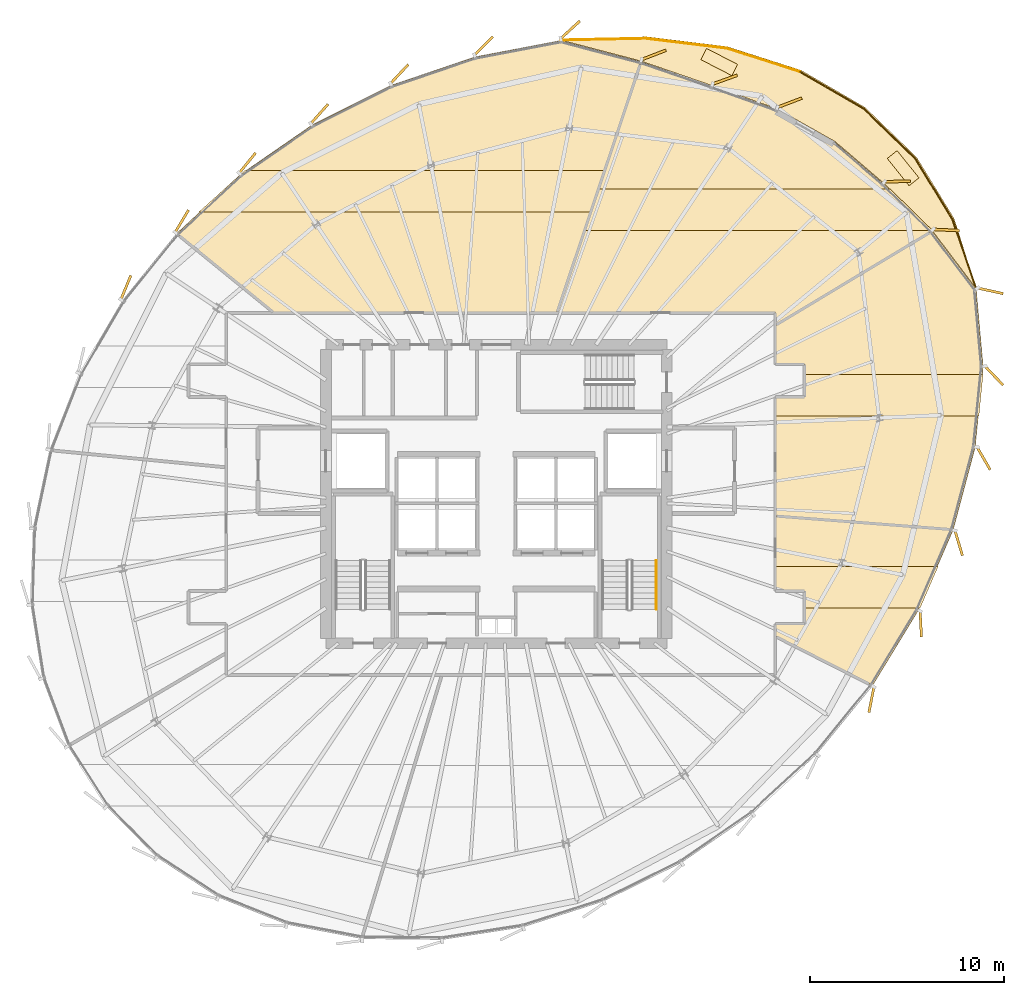
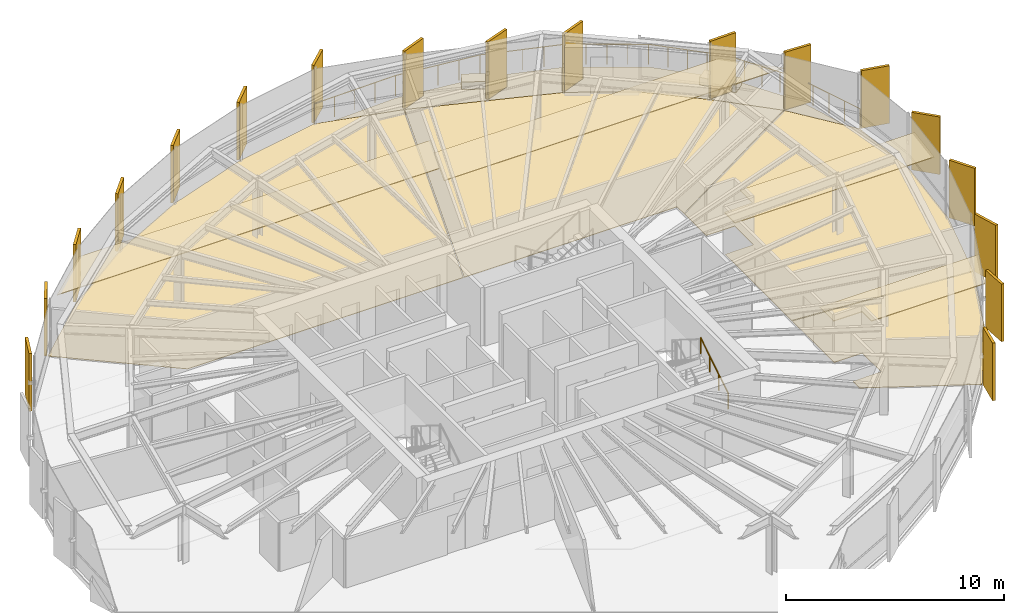
# One storey, part 34 of 34: 29 coverings, 8 railings.
"""IFC4 building model written with IfcOpenShell, lengths in metres."""

from ifc_helpers import new_model, si_unit, direction, frame, origin, origin_2d, place, context, subcontext, project, spatial, polyline, rectangle, circle, outline, extrude, source, transform, mapped, material, layer, layer_set, type_object, element, save


model = new_model("IFC4")

# Units and contexts
model_context = context("Model", 3, precision=1e-05, world=origin(), true_north=direction((0.0, 1.0)))
body_context = subcontext(model_context, "Body", "Model", "MODEL_VIEW")
ifc_project = project(units=[si_unit("LENGTHUNIT", "METRE"), si_unit("AREAUNIT", "SQUARE_METRE"), si_unit("VOLUMEUNIT", "CUBIC_METRE"), si_unit("PLANEANGLEUNIT", "RADIAN"), si_unit("MASSUNIT", "GRAM", prefix="KILO"), si_unit("THERMODYNAMICTEMPERATUREUNIT", "KELVIN")], contexts=[model_context])

# Site, building, storey
site_placement = place(None, origin())
site = spatial("IfcSite", under=ifc_project, at=site_placement, CompositionType="ELEMENT")
building_placement = place(site_placement, origin())
building = spatial("IfcBuilding", under=site, at=building_placement, Name="Kethvar Cultural Tower", CompositionType="ELEMENT")
storey_placement = place(building_placement, frame((0.0, 0.0, 190.39990234375)))
storey = spatial("IfcBuildingStorey", under=building, at=storey_placement, Name="L49", CompositionType="ELEMENT", Elevation=190.39990234375)

# Coverings
ifc_material_1 = material(Name="Acoustic Mineral Fibre Ceiling")
ifc_layer_1 = layer(ifc_material_1, 0.0400390625, Name="Acoustic Mineral Fibre Ceiling")
ifc_layer_set_1 = layer_set([ifc_layer_1], Name="Acoustic Mineral Fibre Ceiling (40 mm)")
covering_type_1 = type_object("IfcCoveringType", Name="CV-ACOUSTIC-CEIL", PredefinedType="CEILING", material=ifc_layer_set_1)
covering_1_placement = place(storey_placement, frame((0.0, 0.0, 2.340087890625)))
element("IfcCovering", 1, at=covering_1_placement, inside=storey, type_object=covering_type_1, Name="L49 Room 03 Acoustic Ceiling Panel", PredefinedType="CEILING", context=body_context, shape_type="SweptSolid", body=[
    extrude(outline(polyline([(62.679931640625, 22.780029296875), (61.187255859375, 22.784423828125), (61.179931640625, 24.063720703125), (69.60888671875, 24.063720703125), (68.6787109375, 21.913818359375), (62.679931640625, 21.913818359375), (62.679931640625, 22.780029296875)])), origin(), (0.0, 0.0, 1.0), 0.0400390625),
])
covering_2_placement = place(storey_placement, frame((0.0, 0.0, 2.340087890625)))
element("IfcCovering", 2, at=covering_2_placement, inside=storey, type_object=covering_type_1, Name="L49 Room 04 Acoustic Ceiling Panel", PredefinedType="CEILING", context=body_context, shape_type="SweptSolid", body=[
    extrude(outline(polyline([(71.714599609375, 31.818359375), (61.179931640625, 31.818359375), (61.18017578125, 32.802001953125), (62.679931640625, 32.820068359375), (62.679931640625, 33.968505859375), (71.92578125, 33.968505859375), (71.714599609375, 31.818359375)])), origin(), (0.0, 0.0, 1.0), 0.0400390625),
])
covering_3_placement = place(storey_placement, frame((0.0, 0.0, 2.340087890625)))
element("IfcCovering", 3, at=covering_3_placement, inside=storey, type_object=covering_type_1, Name="L49 Room 05 Acoustic Ceiling Panel", PredefinedType="CEILING", context=body_context, shape_type="SweptSolid", body=[
    extrude(outline(polyline([(67.130615234375, 43.555908203125), (69.32177734375, 41.406005859375), (51.329345703125, 41.406005859375), (52.048583984375, 43.555908203125), (67.130615234375, 43.555908203125)])), origin(), (0.0, 0.0, 1.0), 0.0400390625),
])
covering_4_placement = place(storey_placement, frame((0.0, 0.0, 2.340087890625)))
element("IfcCovering", 4, at=covering_4_placement, inside=storey, type_object=covering_type_1, Name="L49 Room 06 Acoustic Ceiling Panel", PredefinedType="CEILING", context=body_context, shape_type="SweptSolid", body=[
    extrude(outline(polyline([(31.431884765625, 42.35791015625), (33.8203125, 44.508056640625), (52.4091796875, 44.508056640625), (51.68994140625, 42.35791015625), (31.431884765625, 42.35791015625)])), origin(), (0.0, 0.0, 1.0), 0.0400390625),
])
ifc_material_2 = material(Name="Architectural Oak Timber", Category="wood")
ifc_layer_2 = layer(ifc_material_2, 0.02490234375, Name="Architectural Oak Timber", Category="wood")
ifc_layer_set_2 = layer_set([ifc_layer_2], Name="Architectural Oak Timber (25 mm)")
covering_type_2 = type_object("IfcCoveringType", Name="CV-OAK-FLOOR", PredefinedType="FLOORING", material=ifc_layer_set_2)
covering_5_placement = place(storey_placement, origin())
element("IfcCovering", 5, at=covering_5_placement, inside=storey, type_object=covering_type_2, Name="L49 Room 03 Floor Finish", PredefinedType="FLOORING", context=body_context, shape_type="SweptSolid", body=[
    extrude(outline(polyline([(68.58544921875, 21.798828125), (66.21923828125, 17.914794921875), (61.219970703125, 20.46533203125), (61.219970703125, 21.080078125), (62.719970703125, 21.10009765625), (62.715576171875, 22.812744140625), (61.219970703125, 22.820068359375), (61.219970703125, 26.64208984375), (70.368408203125, 25.920166015625), (68.58544921875, 21.798828125)])), origin(), (0.0, 0.0, 1.0), 0.025146484375),
])
covering_6_placement = place(storey_placement, origin())
element("IfcCovering", 6, at=covering_6_placement, inside=storey, type_object=covering_type_2, Name="L49 Room 04 Floor Finish", PredefinedType="FLOORING", context=body_context, shape_type="SweptSolid", body=[
    extrude(outline(polyline([(71.568603515625, 38.379150390625), (71.92724609375, 34.391845703125), (71.514892578125, 30.193603515625), (70.3828125, 25.958984375), (61.219970703125, 26.68212890625), (61.219970703125, 32.780029296875), (62.719970703125, 32.800048828125), (62.715576171875, 34.5126953125), (61.219970703125, 34.52001953125), (61.219970703125, 36.49658203125), (69.296630859375, 41.380859375), (71.568603515625, 38.379150390625)])), origin(), (0.0, 0.0, 1.0), 0.025146484375),
])
covering_7_placement = place(storey_placement, origin())
element("IfcCovering", 7, at=covering_7_placement, inside=storey, type_object=covering_type_2, Name="L49 Room 05 Floor Finish", PredefinedType="FLOORING", context=body_context, shape_type="SweptSolid", body=[
    extrude(outline(polyline([(54.28759765625, 50.12451171875), (61.309814453125, 47.6552734375), (64.27880859375, 45.980712890625), (66.80224609375, 43.82080078125), (69.269287109375, 41.410888671875), (61.219970703125, 36.54345703125), (61.201904296875, 37.169921875), (49.954833984375, 37.169921875), (54.28759765625, 50.12451171875)])), origin(), (0.0, 0.0, 1.0), 0.025146484375),
])
covering_8_placement = place(storey_placement, origin())
element("IfcCovering", 8, at=covering_8_placement, inside=storey, type_object=covering_type_2, Name="L49 Room 06 Floor Finish", PredefinedType="FLOORING", context=body_context, shape_type="SweptSolid", body=[
    extrude(outline(polyline([(33.583984375, 44.29638671875), (37.2998046875, 46.86181640625), (41.372802734375, 48.90234375), (45.69580078125, 50.369873046875), (50.1298828125, 51.21533203125), (54.249267578125, 50.13623046875), (49.91259765625, 37.169921875), (35.326904296875, 37.169921875), (30.30517578125, 41.260009765625), (33.583984375, 44.29638671875)])), origin(), (0.0, 0.0, 1.0), 0.025146484375),
])
ifc_material_3 = material(Name="Insulated Waterproofing Membrane")
ifc_layer_3 = layer(ifc_material_3, 0.06005859375, Name="Insulated Waterproofing Membrane")
ifc_layer_set_3 = layer_set([ifc_layer_3], Name="Insulated Waterproofing Membrane (60 mm)")
covering_type_3 = type_object("IfcCoveringType", Name="CV-ROOF-MEMB", PredefinedType="ROOFING", material=ifc_layer_set_3)
covering_9_placement = place(storey_placement, frame((0.0, 0.0, -0.27490234375)))
element("IfcCovering", 9, at=covering_9_placement, inside=storey, type_object=covering_type_3, Name="L49 Terrace Waterproofing", PredefinedType="ROOFING", context=body_context, shape_type="SweptSolid", body=[
    extrude(outline(polyline([(71.587890625, 38.38671875), (70.435546875, 42.028076171875), (68.5029296875, 45.1875), (65.84130859375, 47.7626953125), (62.5390625, 49.681640625), (58.71875, 50.90380859375), (54.5283203125, 51.41748046875), (50.130615234375, 51.23583984375), (54.27490234375, 50.150146484375), (57.933349609375, 48.889404296875), (61.318115234375, 47.673583984375), (64.290283203125, 45.9970703125), (66.815673828125, 43.835693359375), (69.3017578125, 41.4072265625), (71.587890625, 38.38671875)])), origin(), (0.0, 0.0, 1.0), 0.06005859375),
])

# Railings
ifc_material_4 = material(Name="Steel S355J2", Category="steel")
railing_type_1 = type_object("IfcRailingType", Name="RL-EXT-GUARD-1150", PredefinedType="BALUSTRADE", material=ifc_material_4)
railing_1_placement = place(storey_placement, frame((71.587890625, 38.38671875, 0.0)))
element("IfcRailing", 10, at=railing_1_placement, inside=storey, type_object=railing_type_1, Name="L49 Spiralling Terrace Balustrade 01", PredefinedType="BALUSTRADE", context=body_context, shape_type="SweptSolid", body=[
    extrude(circle(Radius=0.02392578125, at=origin_2d()), frame((0.0, 0.0, 1.1259765625), z_axis=(-0.326048146538, 0.945353164769, 0.0), x_axis=(-0.945353164769, -0.326048146538, 0.0)), (0.0, 0.0, 1.0), 3.797119140625),
    extrude(circle(Radius=0.02099609375, at=origin_2d()), origin(), (0.0, 0.0, 1.0), 1.101806640625),
    extrude(circle(Radius=0.02099609375, at=origin_2d()), frame((-0.3095703125, 0.8974609375, 0.0)), (0.0, 0.0, 1.0), 1.101806640625),
    extrude(circle(Radius=0.02099609375, at=origin_2d()), frame((-0.619140625, 1.794921875, 0.0)), (0.0, 0.0, 1.0), 1.101806640625),
    extrude(circle(Radius=0.02099609375, at=origin_2d()), frame((-0.928466796875, 2.692138671875, 0.0)), (0.0, 0.0, 1.0), 1.101806640625),
    extrude(circle(Radius=0.02099609375, at=origin_2d()), frame((-1.238037109375, 3.589599609375, 0.0)), (0.0, 0.0, 1.0), 1.101806640625),
])
railing_2_placement = place(storey_placement, frame((70.349853515625, 41.976318359375, 0.0)))
element("IfcRailing", 11, at=railing_2_placement, inside=storey, type_object=railing_type_1, Name="L49 Spiralling Terrace Balustrade 02", PredefinedType="BALUSTRADE", context=body_context, shape_type="SweptSolid", body=[
    extrude(circle(Radius=0.02392578125, at=origin_2d()), frame((0.0, 0.0, 1.1259765625), z_axis=(-0.521570422244, 0.853208236388, 0.0), x_axis=(-0.853208236388, -0.521570422244, 0.0)), (0.0, 0.0, 1.0), 3.6904296875),
    extrude(circle(Radius=0.02099609375, at=origin_2d()), origin(), (0.0, 0.0, 1.0), 1.101806640625),
    extrude(circle(Radius=0.02099609375, at=origin_2d()), frame((-0.481201171875, 0.787109375, 0.0)), (0.0, 0.0, 1.0), 1.101806640625),
    extrude(circle(Radius=0.02099609375, at=origin_2d()), frame((-0.96240234375, 1.57421875, 0.0)), (0.0, 0.0, 1.0), 1.101806640625),
    extrude(circle(Radius=0.02099609375, at=origin_2d()), frame((-1.443603515625, 2.361572265625, 0.0)), (0.0, 0.0, 1.0), 1.101806640625),
    extrude(circle(Radius=0.02099609375, at=origin_2d()), frame((-1.9248046875, 3.148681640625, 0.0)), (0.0, 0.0, 1.0), 1.101806640625),
])
railing_3_placement = place(storey_placement, frame((68.425048828125, 45.125, 0.0)))
element("IfcRailing", 12, at=railing_3_placement, inside=storey, type_object=railing_type_1, Name="L49 Spiralling Terrace Balustrade 03", PredefinedType="BALUSTRADE", context=body_context, shape_type="SweptSolid", body=[
    extrude(circle(Radius=0.02392578125, at=origin_2d()), frame((0.0, 0.0, 1.1259765625), z_axis=(-0.718882574285, 0.69513153028, 0.0), x_axis=(-0.69513153028, -0.718882574285, 0.0)), (0.0, 0.0, 1.0), 3.690185546875),
    extrude(circle(Radius=0.02099609375, at=origin_2d()), origin(), (0.0, 0.0, 1.0), 1.101806640625),
    extrude(circle(Radius=0.02099609375, at=origin_2d()), frame((-0.6630859375, 0.641357421875, 0.0)), (0.0, 0.0, 1.0), 1.101806640625),
    extrude(circle(Radius=0.02099609375, at=origin_2d()), frame((-1.326416015625, 1.28271484375, 0.0)), (0.0, 0.0, 1.0), 1.101806640625),
    extrude(circle(Radius=0.02099609375, at=origin_2d()), frame((-1.98974609375, 1.923828125, 0.0)), (0.0, 0.0, 1.0), 1.101806640625),
    extrude(circle(Radius=0.02099609375, at=origin_2d()), frame((-2.65283203125, 2.565185546875, 0.0)), (0.0, 0.0, 1.0), 1.101806640625),
])
railing_4_placement = place(storey_placement, frame((65.772216796875, 47.690185546875, 0.0)))
element("IfcRailing", 13, at=railing_4_placement, inside=storey, type_object=railing_type_1, Name="L49 Spiralling Terrace Balustrade 04", PredefinedType="BALUSTRADE", context=body_context, shape_type="SweptSolid", body=[
    extrude(circle(Radius=0.02392578125, at=origin_2d()), frame((0.0, 0.0, 1.1259765625), z_axis=(-0.864907542685, 0.501931213022, 0.0), x_axis=(-0.501931213022, -0.864907542685, 0.0)), (0.0, 0.0, 1.0), 3.8056640625),
    extrude(circle(Radius=0.02099609375, at=origin_2d()), origin(), (0.0, 0.0, 1.0), 1.101806640625),
    extrude(circle(Radius=0.02099609375, at=origin_2d()), frame((-0.82275390625, 0.4775390625, 0.0)), (0.0, 0.0, 1.0), 1.101806640625),
    extrude(circle(Radius=0.02099609375, at=origin_2d()), frame((-1.645751953125, 0.955078125, 0.0)), (0.0, 0.0, 1.0), 1.101806640625),
    extrude(circle(Radius=0.02099609375, at=origin_2d()), frame((-2.46875, 1.4326171875, 0.0)), (0.0, 0.0, 1.0), 1.101806640625),
    extrude(circle(Radius=0.02099609375, at=origin_2d()), frame((-3.29150390625, 1.91015625, 0.0)), (0.0, 0.0, 1.0), 1.101806640625),
])
railing_5_placement = place(storey_placement, frame((62.480712890625, 49.600341796875, 0.0)))
element("IfcRailing", 14, at=railing_5_placement, inside=storey, type_object=railing_type_1, Name="L49 Spiralling Terrace Balustrade 05", PredefinedType="BALUSTRADE", context=body_context, shape_type="SweptSolid", body=[
    extrude(circle(Radius=0.02392578125, at=origin_2d()), frame((0.0, 0.0, 1.1259765625), z_axis=(-0.952725818496, 0.303831392011, 0.0), x_axis=(-0.303831392011, -0.952725818496, 0.0)), (0.0, 0.0, 1.0), 3.996826171875),
    extrude(circle(Radius=0.02099609375, at=origin_2d()), origin(), (0.0, 0.0, 1.0), 1.101806640625),
    extrude(circle(Radius=0.02099609375, at=origin_2d()), frame((-0.951904296875, 0.3037109375, 0.0)), (0.0, 0.0, 1.0), 1.101806640625),
    extrude(circle(Radius=0.02099609375, at=origin_2d()), frame((-1.90380859375, 0.607177734375, 0.0)), (0.0, 0.0, 1.0), 1.101806640625),
    extrude(circle(Radius=0.02099609375, at=origin_2d()), frame((-2.85595703125, 0.91064453125, 0.0)), (0.0, 0.0, 1.0), 1.101806640625),
    extrude(circle(Radius=0.02099609375, at=origin_2d()), frame((-3.807861328125, 1.21435546875, 0.0)), (0.0, 0.0, 1.0), 1.101806640625),
])
railing_6_placement = place(storey_placement, frame((58.6728515625, 50.814697265625, 0.0)))
element("IfcRailing", 15, at=railing_6_placement, inside=storey, type_object=railing_type_1, Name="L49 Spiralling Terrace Balustrade 06", PredefinedType="BALUSTRADE", context=body_context, shape_type="SweptSolid", body=[
    extrude(circle(Radius=0.02392578125, at=origin_2d()), frame((0.0, 0.0, 1.1259765625), z_axis=(-0.992685799335, 0.120726566252, 0.0), x_axis=(-0.120726566252, -0.992685799335, 0.0)), (0.0, 0.0, 1.0), 4.206298828125),
    extrude(circle(Radius=0.02099609375, at=origin_2d()), origin(), (0.0, 0.0, 1.0), 1.101806640625),
    extrude(circle(Radius=0.02099609375, at=origin_2d()), frame((-1.0439453125, 0.126953125, 0.0)), (0.0, 0.0, 1.0), 1.101806640625),
    extrude(circle(Radius=0.02099609375, at=origin_2d()), frame((-2.087890625, 0.25390625, 0.0)), (0.0, 0.0, 1.0), 1.101806640625),
    extrude(circle(Radius=0.02099609375, at=origin_2d()), frame((-3.131591796875, 0.380859375, 0.0)), (0.0, 0.0, 1.0), 1.101806640625),
    extrude(circle(Radius=0.02099609375, at=origin_2d()), frame((-4.175537109375, 0.5078125, 0.0)), (0.0, 0.0, 1.0), 1.101806640625),
])
railing_7_placement = place(storey_placement, frame((54.497314453125, 51.322509765625, 0.0)))
element("IfcRailing", 16, at=railing_7_placement, inside=storey, type_object=railing_type_1, Name="L49 Spiralling Terrace Balustrade 07", PredefinedType="BALUSTRADE", context=body_context, shape_type="SweptSolid", body=[
    extrude(circle(Radius=0.02392578125, at=origin_2d()), frame((0.0, 0.0, 1.1259765625), z_axis=(-0.999803088098, -0.019844017459, 0.0), x_axis=(0.019844017459, -0.999803088098, 0.0)), (0.0, 0.0, 1.0), 4.36767578125),
    extrude(circle(Radius=0.02099609375, at=origin_2d()), origin(), (0.0, 0.0, 1.0), 1.101806640625),
    extrude(circle(Radius=0.02099609375, at=origin_2d()), frame((-1.091796875, -0.021728515625, 0.0)), (0.0, 0.0, 1.0), 1.101806640625),
    extrude(circle(Radius=0.02099609375, at=origin_2d()), frame((-2.183349609375, -0.04345703125, 0.0)), (0.0, 0.0, 1.0), 1.101806640625),
    extrude(circle(Radius=0.02099609375, at=origin_2d()), frame((-3.27490234375, -0.06494140625, 0.0)), (0.0, 0.0, 1.0), 1.101806640625),
    extrude(circle(Radius=0.02099609375, at=origin_2d()), frame((-4.36669921875, -0.086669921875, 0.0)), (0.0, 0.0, 1.0), 1.101806640625),
])
railing_type_2 = type_object("IfcRailingType", Name="RL-STAIR-HANDRAIL", PredefinedType="HANDRAIL", material=ifc_material_4)
railing_8_placement = place(storey_placement, frame((55.06005859375, 21.85009765625, 0.175048828125)))
element("IfcRailing", 17, at=railing_8_placement, inside=storey, type_object=railing_type_2, Name="L49 ST-02 stair handrail 1", PredefinedType="HANDRAIL", context=body_context, shape_type="SweptSolid", body=[
    extrude(circle(Radius=0.02392578125, at=origin_2d()), frame((0.0, 0.0, 0.8759765625), z_axis=(0.0, 0.848007534815, 0.529984170421), x_axis=(-1.0, 0.0, 0.0)), (0.0, 0.0, 1.0), 2.9716796875),
    extrude(circle(Radius=0.02099609375, at=origin_2d()), origin(), (0.0, 0.0, 1.0), 0.851806640625),
    extrude(circle(Radius=0.02099609375, at=origin_2d()), frame((0.0, 0.840087890625, 0.52490234375)), (0.0, 0.0, 1.0), 0.851806640625),
    extrude(circle(Radius=0.02099609375, at=origin_2d()), frame((0.0, 1.679931640625, 1.050048828125)), (0.0, 0.0, 1.0), 0.851806640625),
    extrude(circle(Radius=0.02099609375, at=origin_2d()), frame((0.0, 2.52001953125, 1.574951171875)), (0.0, 0.0, 1.0), 0.851806640625),
])

# Coverings
ifc_material_5 = material(Name="Extruded Architectural Terracotta", Category="masonry")
ifc_layer_4 = layer(ifc_material_5, 0.419921875, Name="Extruded Architectural Terracotta", Category="masonry")
ifc_layer_set_4 = layer_set([ifc_layer_4], Name="Extruded Architectural Terracotta (420 mm)")
covering_type_4 = type_object("IfcCoveringType", Name="Terracotta Terrace Planter PLANTER-01", PredefinedType="USERDEFINED", material=ifc_layer_set_4)
shared_shape_1 = source(origin(), body_context, "Body", "SweptSolid", [
    extrude(rectangle(XDim=1.800048828125, YDim=0.64990234375, at=origin_2d()), origin(), (0.0, 0.0, 1.0), 0.419921875),
])
for number, where, z_axis, x_axis, name in (
    (18, (67.800537109375, 44.624755859375, 0.000244140625), (0.0, 0.0, 1.0), (-0.625242656336, 0.780430407338, 0.0), "L49 Sky Terrace Planter Box A"),
    (19, (58.30615234375, 50.10400390625, 0.000244140625), (0.0, 0.0, 1.0), (-0.888697268569, 0.458494454534, 0.0), "L49 Sky Terrace Planter Box B"),
):
    element("IfcCovering", number, at=place(storey_placement, frame(where, z_axis=z_axis, x_axis=x_axis)), inside=storey, type_object=covering_type_4, Name=name, ObjectType="PLANTER", PredefinedType="USERDEFINED", context=body_context, shape_type="MappedRepresentation", body=[
        mapped(shared_shape_1, transform((0.0, 0.0, 0.0), scale=1.0)),
    ])
ifc_layer_5 = layer(ifc_material_5, 0.135009765625, Name="Extruded Architectural Terracotta", Category="masonry")
ifc_layer_set_5 = layer_set([ifc_layer_5], Name="Extruded Architectural Terracotta (135 mm)")
covering_type_5 = type_object("IfcCoveringType", Name="Terracotta Facade Fin FIN-03", PredefinedType="CLADDING", material=ifc_layer_set_5)
shared_shape_2 = source(origin(), body_context, "Body", "SweptSolid", [
    extrude(rectangle(XDim=1.35009765625, YDim=0.135009765625, at=origin_2d()), origin(), (0.0, 0.0, 1.0), 3.219970703125),
])
for number, where, z_axis, x_axis, name in (
    (20, (67.5126953125, 43.938232421875, 0.02001953125), (0.0, 0.0, 1.0), (0.999701489781, 0.024432178153, 0.0), "L49 Vertical Terracotta Fin 1.1"),
    (21, (61.939453125, 48.002197265625, 0.02001953125), (0.0, 0.0, 1.0), (0.934577537177, 0.355759507257, 0.0), "L49 Vertical Terracotta Fin 2.1"),
    (22, (58.5947265625, 49.193115234375, 0.02001953125), (0.0, 0.0, 1.0), (0.941234978514, 0.337752446654, 0.0), "L49 Vertical Terracotta Fin 2.2"),
    (23, (54.9248046875, 50.470703125, 0.02001953125), (0.0, 0.0, 1.0), (0.932764913059, 0.360485252079, 0.0), "L49 Vertical Terracotta Fin 2.3"),
    (24, (50.61376953125, 51.769775390625, 0.02001953125), (0.0, 0.0, 1.0), (0.737984408834, 0.674817762301, 0.0), "L49 Vertical Terracotta Fin 2.4"),
    (25, (46.14111328125, 50.943603515625, 0.02001953125), (0.0, 0.0, 1.0), (0.705129412033, 0.709078636179, 0.0), "L49 Vertical Terracotta Fin 2.5"),
    (26, (41.790771484375, 49.485107421875, 0.02001953125), (0.0, 0.0, 1.0), (0.683783356562, 0.729685083642, 0.0), "L49 Vertical Terracotta Fin 2.6"),
    (27, (37.661376953125, 47.426513671875, 0.02001953125), (0.0, 0.0, 1.0), (0.665621202286, 0.746289766155, 0.0), "L49 Vertical Terracotta Fin 3.1"),
    (28, (33.943603515625, 44.893798828125, 0.02001953125), (0.0, 0.0, 1.0), (0.631894039711, 0.775054786824, 0.0), "L49 Vertical Terracotta Fin 3.2"),
    (29, (30.55908203125, 41.888427734375, 0.02001953125), (0.0, 0.0, 1.0), (0.513691004814, 0.857975262798, 0.0), "L49 Vertical Terracotta Fin 3.3"),
    (30, (27.668212890625, 38.461669921875, 0.02001953125), (0.0, 0.0, 1.0), (0.380747625693, 0.924678995938, 0.0), "L49 Vertical Terracotta Fin 3.4"),
    (31, (66.164794921875, 17.1845703125, 0.02001953125), (0.0, 0.0, 1.0), (-0.192864490548, -0.981225401366, 0.0), "L49 Vertical Terracotta Fin 6.4"),
    (32, (68.7119140625, 21.083984375, 0.02001953125), (0.0, 0.0, 1.0), (0.052335956243, -0.998629534755, 0.0), "L49 Vertical Terracotta Fin 6.5"),
    (33, (70.668701171875, 25.2705078125, 0.02001953125), (0.0, 0.0, 1.0), (0.286691763629, -0.958022876902, 0.0), "L49 Vertical Terracotta Fin 6.6"),
    (34, (71.95654296875, 29.63720703125, 0.02001953125), (0.0, 0.0, 1.0), (0.501661726928, -0.865063877257, 0.0), "L49 Vertical Terracotta Fin 7.1"),
    (35, (72.49365234375, 33.9111328125, 0.02001953125), (0.0, 0.0, 1.0), (0.691513055782, -0.72236396206, 0.0), "L49 Vertical Terracotta Fin 7.2"),
    (36, (72.31103515625, 38.29052734375, 0.02001953125), (0.0, 0.0, 1.0), (0.976821953852, -0.214053429014, 0.0), "L49 Vertical Terracotta Fin 7.3"),
    (37, (70.031982421875, 41.4326171875, 0.02001953125), (0.0, 0.0, 1.0), (0.998881638121, -0.047280789163, 0.0), "L49 Vertical Terracotta Fin 7.4"),
):
    element("IfcCovering", number, at=place(storey_placement, frame(where, z_axis=z_axis, x_axis=x_axis)), inside=storey, type_object=covering_type_5, Name=name, PredefinedType="CLADDING", context=body_context, shape_type="MappedRepresentation", body=[
        mapped(shared_shape_2, transform((0.0, 0.0, 0.0), scale=1.0)),
    ])

save(model, "model.ifc")
